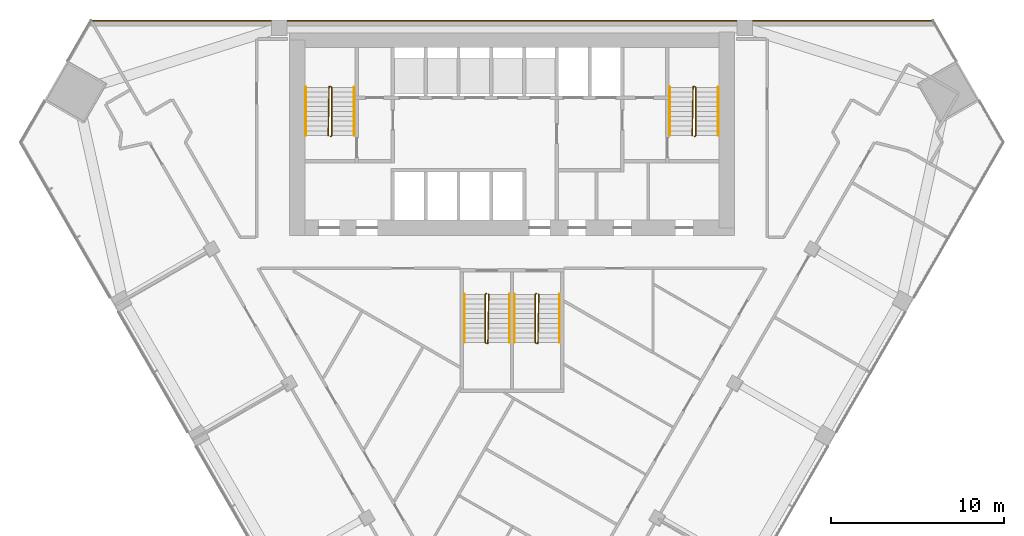
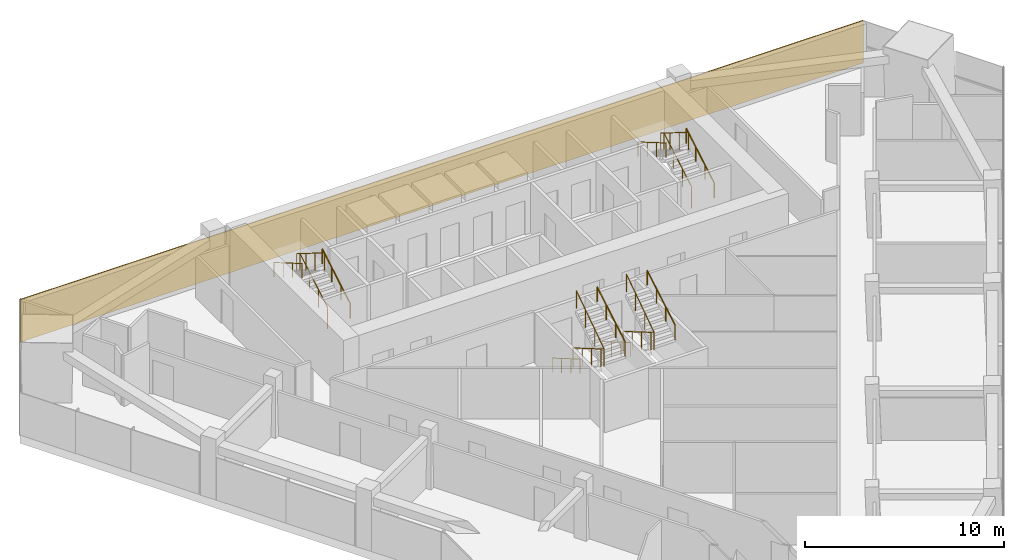
# One storey, part 13 of 14: 12 railings, 1 covering.
"""IFC4 building model written with IfcOpenShell, lengths in metres."""

from ifc_helpers import new_model, si_unit, direction, frame, frame_2d, origin, origin_2d, place, context, subcontext, project, spatial, rectangle, circle, extrude, material, layer, layer_set, type_object, element, save


model = new_model("IFC4")

# Units and contexts
model_context = context("Model", 3, precision=1e-05, world=origin(), true_north=direction((0.0, 1.0)))
body_context = subcontext(model_context, "Body", "Model", "MODEL_VIEW")
ifc_project = project(units=[si_unit("LENGTHUNIT", "METRE"), si_unit("AREAUNIT", "SQUARE_METRE"), si_unit("VOLUMEUNIT", "CUBIC_METRE"), si_unit("PLANEANGLEUNIT", "RADIAN"), si_unit("MASSUNIT", "GRAM", prefix="KILO")], contexts=[model_context])

# Site, building, storey
site_placement = place(None, origin())
site = spatial("IfcSite", under=ifc_project, at=site_placement, CompositionType="ELEMENT")
building_placement = place(site_placement, origin())
building = spatial("IfcBuilding", under=site, at=building_placement, Name="Altiplano Prism Tower", CompositionType="ELEMENT")
storey_placement = place(building_placement, frame((0.0, 0.0, 111.60009765625)))
storey = spatial("IfcBuildingStorey", under=building, at=storey_placement, Name="L28", CompositionType="ELEMENT", Elevation=111.60009765625)

# Railings
ifc_material_1 = material(Name="Steel S355", Category="steel")
railing_type_1 = type_object("IfcRailingType", Name="Stair guard 1100", PredefinedType="GUARDRAIL", material=ifc_material_1)
railing_1_placement = place(storey_placement, frame((74.5, 98.25, 0.0)))
element("IfcRailing", 1, at=railing_1_placement, inside=storey, type_object=railing_type_1, Name="L28 ST1 stair guard 1", PredefinedType="GUARDRAIL", context=body_context, shape_type="SweptSolid", body=[
    extrude(circle(Radius=0.02392578125, at=origin_2d()), frame((0.0, 0.0, 1.076171875), z_axis=(0.280808744504, 0.280808744504, 0.917765164963), x_axis=(-0.707106781187, 0.707106781187, 0.0)), (0.0, 0.0, 1.0), 0.17822265625),
    extrude(circle(Radius=0.02392578125, at=origin_2d()), frame((0.050048828125, 0.050048828125, 1.23974609375), z_axis=(0.0, 0.863393664356, 0.504530851732), x_axis=(-1.0, 0.0, 0.0)), (0.0, 0.0, 1.0), 3.2431640625),
    extrude(circle(Radius=0.02392578125, at=origin_2d()), frame((0.050048828125, 2.85009765625, 2.8759765625), z_axis=(-0.949145278916, 0.314838433982, 0.0), x_axis=(-0.314838433982, -0.949145278916, 0.0)), (0.0, 0.0, 1.0), 0.158203125),
    extrude(circle(Radius=0.02392578125, at=origin_2d()), frame((-0.10009765625, 2.89990234375, 2.8759765625), z_axis=(-0.01477401265, -0.845377694409, 0.533964682676), x_axis=(0.999847325713, -0.01747355902, 0.0)), (0.0, 0.0, 1.0), 3.37109375),
    extrude(circle(Radius=0.02099609375, at=origin_2d()), origin(), (0.0, 0.0, 1.0), 1.052001953125),
    extrude(circle(Radius=0.02099609375, at=origin_2d()), frame((0.050048828125, 0.050048828125, 0.16357421875)), (0.0, 0.0, 1.0), 1.052001953125),
    extrude(circle(Radius=0.02099609375, at=origin_2d()), frame((0.050048828125, 0.9833984375, 0.708984375)), (0.0, 0.0, 1.0), 1.052001953125),
    extrude(circle(Radius=0.02099609375, at=origin_2d()), frame((0.050048828125, 1.916748046875, 1.25439453125)), (0.0, 0.0, 1.0), 1.052001953125),
    extrude(circle(Radius=0.02099609375, at=origin_2d()), frame((0.050048828125, 2.85009765625, 1.7998046875)), (0.0, 0.0, 1.0), 1.052001953125),
    extrude(circle(Radius=0.02099609375, at=origin_2d()), frame((-0.10009765625, 2.89990234375, 1.7998046875)), (0.0, 0.0, 1.0), 1.052001953125),
    extrude(circle(Radius=0.02099609375, at=origin_2d()), frame((-0.11669921875, 1.949951171875, 2.39990234375)), (0.0, 0.0, 1.0), 1.052001953125),
    extrude(circle(Radius=0.02099609375, at=origin_2d()), frame((-0.13330078125, 1.0, 2.999755859375)), (0.0, 0.0, 1.0), 1.052001953125),
    extrude(circle(Radius=0.02099609375, at=origin_2d()), frame((-0.14990234375, 0.050048828125, 3.599853515625)), (0.0, 0.0, 1.0), 1.052001953125),
])
railing_2_placement = place(storey_placement, frame((95.60009765625, 98.25, 0.0)))
element("IfcRailing", 2, at=railing_2_placement, inside=storey, type_object=railing_type_1, Name="L28 ST2 stair guard 1", PredefinedType="GUARDRAIL", context=body_context, shape_type="SweptSolid", body=[
    extrude(circle(Radius=0.02392578125, at=origin_2d()), frame((0.0, 0.0, 1.076171875), z_axis=(0.279546231943, 0.280916556609, 0.91811752648), x_axis=(-0.708833529934, 0.705375805398, 0.0)), (0.0, 0.0, 1.0), 0.17822265625),
    extrude(circle(Radius=0.02392578125, at=origin_2d()), frame((0.0498046875, 0.050048828125, 1.23974609375), z_axis=(0.0, 0.863393664356, 0.504530851732), x_axis=(-1.0, 0.0, 0.0)), (0.0, 0.0, 1.0), 3.2431640625),
    extrude(circle(Radius=0.02392578125, at=origin_2d()), frame((0.0498046875, 2.85009765625, 2.8759765625), z_axis=(-0.948991962702, 0.315300261223, 0.0), x_axis=(-0.315300261223, -0.948991962702, 0.0)), (0.0, 0.0, 1.0), 0.157958984375),
    extrude(circle(Radius=0.02392578125, at=origin_2d()), frame((-0.10009765625, 2.89990234375, 2.8759765625), z_axis=(-0.014846418356, -0.845376787675, 0.533964109957), x_axis=(0.999845825584, -0.017559187376, 0.0)), (0.0, 0.0, 1.0), 3.37109375),
    extrude(circle(Radius=0.02099609375, at=origin_2d()), origin(), (0.0, 0.0, 1.0), 1.052001953125),
    extrude(circle(Radius=0.02099609375, at=origin_2d()), frame((0.0498046875, 0.050048828125, 0.16357421875)), (0.0, 0.0, 1.0), 1.052001953125),
    extrude(circle(Radius=0.02099609375, at=origin_2d()), frame((0.0498046875, 0.9833984375, 0.708984375)), (0.0, 0.0, 1.0), 1.052001953125),
    extrude(circle(Radius=0.02099609375, at=origin_2d()), frame((0.0498046875, 1.916748046875, 1.25439453125)), (0.0, 0.0, 1.0), 1.052001953125),
    extrude(circle(Radius=0.02099609375, at=origin_2d()), frame((0.0498046875, 2.85009765625, 1.7998046875)), (0.0, 0.0, 1.0), 1.052001953125),
    extrude(circle(Radius=0.02099609375, at=origin_2d()), frame((-0.10009765625, 2.89990234375, 1.7998046875)), (0.0, 0.0, 1.0), 1.052001953125),
    extrude(circle(Radius=0.02099609375, at=origin_2d()), frame((-0.11669921875, 1.949951171875, 2.39990234375)), (0.0, 0.0, 1.0), 1.052001953125),
    extrude(circle(Radius=0.02099609375, at=origin_2d()), frame((-0.133544921875, 1.0, 2.999755859375)), (0.0, 0.0, 1.0), 1.052001953125),
    extrude(circle(Radius=0.02099609375, at=origin_2d()), frame((-0.150146484375, 0.050048828125, 3.599853515625)), (0.0, 0.0, 1.0), 1.052001953125),
])
railing_3_placement = place(storey_placement, frame((83.5, 89.14990234375, 0.0)))
element("IfcRailing", 3, at=railing_3_placement, inside=storey, type_object=railing_type_1, Name="L28 ST3A stair guard 1", PredefinedType="GUARDRAIL", context=body_context, shape_type="SweptSolid", body=[
    extrude(circle(Radius=0.02392578125, at=origin_2d()), frame((0.0, 0.0, 1.076171875), z_axis=(-0.280916556609, -0.279546231943, 0.91811752648), x_axis=(0.705375805398, -0.708833529934, 0.0)), (0.0, 0.0, 1.0), 0.17822265625),
    extrude(circle(Radius=0.02392578125, at=origin_2d()), frame((-0.050048828125, -0.0498046875, 1.23974609375), z_axis=(0.0, -0.863393664356, 0.504530851732), x_axis=(1.0, 0.0, 0.0)), (0.0, 0.0, 1.0), 3.2431640625),
    extrude(circle(Radius=0.02392578125, at=origin_2d()), frame((-0.050048828125, -2.849853515625, 2.8759765625), z_axis=(0.948683298051, -0.316227766017, 0.0), x_axis=(0.316227766017, 0.948683298051, 0.0)), (0.0, 0.0, 1.0), 0.158203125),
    extrude(circle(Radius=0.02392578125, at=origin_2d()), frame((0.10009765625, -2.89990234375, 2.8759765625), z_axis=(0.014773108175, 0.84539835705, 0.533931993021), x_axis=(-0.999847351862, 0.017472062685, 0.0)), (0.0, 0.0, 1.0), 3.371337890625),
    extrude(circle(Radius=0.02099609375, at=origin_2d()), origin(), (0.0, 0.0, 1.0), 1.052001953125),
    extrude(circle(Radius=0.02099609375, at=origin_2d()), frame((-0.050048828125, -0.0498046875, 0.16357421875)), (0.0, 0.0, 1.0), 1.052001953125),
    extrude(circle(Radius=0.02099609375, at=origin_2d()), frame((-0.050048828125, -0.983154296875, 0.708984375)), (0.0, 0.0, 1.0), 1.052001953125),
    extrude(circle(Radius=0.02099609375, at=origin_2d()), frame((-0.050048828125, -1.91650390625, 1.25439453125)), (0.0, 0.0, 1.0), 1.052001953125),
    extrude(circle(Radius=0.02099609375, at=origin_2d()), frame((-0.050048828125, -2.849853515625, 1.7998046875)), (0.0, 0.0, 1.0), 1.052001953125),
    extrude(circle(Radius=0.02099609375, at=origin_2d()), frame((0.10009765625, -2.89990234375, 1.7998046875)), (0.0, 0.0, 1.0), 1.052001953125),
    extrude(circle(Radius=0.02099609375, at=origin_2d()), frame((0.11669921875, -1.949951171875, 2.39990234375)), (0.0, 0.0, 1.0), 1.052001953125),
    extrude(circle(Radius=0.02099609375, at=origin_2d()), frame((0.13330078125, -0.999755859375, 2.999755859375)), (0.0, 0.0, 1.0), 1.052001953125),
    extrude(circle(Radius=0.02099609375, at=origin_2d()), frame((0.14990234375, -0.0498046875, 3.599853515625)), (0.0, 0.0, 1.0), 1.052001953125),
])
railing_4_placement = place(storey_placement, frame((86.39990234375, 89.14990234375, 0.0)))
element("IfcRailing", 4, at=railing_4_placement, inside=storey, type_object=railing_type_1, Name="L28 ST3B stair guard 1", PredefinedType="GUARDRAIL", context=body_context, shape_type="SweptSolid", body=[
    extrude(circle(Radius=0.02392578125, at=origin_2d()), frame((0.0, 0.0, 1.076171875), z_axis=(-0.279653641804, -0.279653641804, 0.918470294159), x_axis=(0.707106781187, -0.707106781187, 0.0)), (0.0, 0.0, 1.0), 0.177978515625),
    extrude(circle(Radius=0.02392578125, at=origin_2d()), frame((-0.0498046875, -0.0498046875, 1.23974609375), z_axis=(0.0, -0.863393664356, 0.504530851732), x_axis=(1.0, 0.0, 0.0)), (0.0, 0.0, 1.0), 3.2431640625),
    extrude(circle(Radius=0.02392578125, at=origin_2d()), frame((-0.0498046875, -2.849853515625, 2.8759765625), z_axis=(0.948528701346, -0.316691178788, 0.0), x_axis=(0.316691178788, 0.948528701346, 0.0)), (0.0, 0.0, 1.0), 0.157958984375),
    extrude(circle(Radius=0.02392578125, at=origin_2d()), frame((0.10009765625, -2.89990234375, 2.8759765625), z_axis=(0.014845509451, 0.845397450405, 0.533931420407), x_axis=(-0.999845851991, 0.017557683712, 0.0)), (0.0, 0.0, 1.0), 3.371337890625),
    extrude(circle(Radius=0.02099609375, at=origin_2d()), origin(), (0.0, 0.0, 1.0), 1.052001953125),
    extrude(circle(Radius=0.02099609375, at=origin_2d()), frame((-0.0498046875, -0.0498046875, 0.16357421875)), (0.0, 0.0, 1.0), 1.052001953125),
    extrude(circle(Radius=0.02099609375, at=origin_2d()), frame((-0.0498046875, -0.983154296875, 0.708984375)), (0.0, 0.0, 1.0), 1.052001953125),
    extrude(circle(Radius=0.02099609375, at=origin_2d()), frame((-0.0498046875, -1.91650390625, 1.25439453125)), (0.0, 0.0, 1.0), 1.052001953125),
    extrude(circle(Radius=0.02099609375, at=origin_2d()), frame((-0.0498046875, -2.849853515625, 1.7998046875)), (0.0, 0.0, 1.0), 1.052001953125),
    extrude(circle(Radius=0.02099609375, at=origin_2d()), frame((0.10009765625, -2.89990234375, 1.7998046875)), (0.0, 0.0, 1.0), 1.052001953125),
    extrude(circle(Radius=0.02099609375, at=origin_2d()), frame((0.11669921875, -1.949951171875, 2.39990234375)), (0.0, 0.0, 1.0), 1.052001953125),
    extrude(circle(Radius=0.02099609375, at=origin_2d()), frame((0.133544921875, -0.999755859375, 2.999755859375)), (0.0, 0.0, 1.0), 1.052001953125),
    extrude(circle(Radius=0.02099609375, at=origin_2d()), frame((0.150146484375, -0.0498046875, 3.599853515625)), (0.0, 0.0, 1.0), 1.052001953125),
])
railing_type_2 = type_object("IfcRailingType", Name="Stair handrail 900", PredefinedType="HANDRAIL", material=ifc_material_1)
railing_5_placement = place(storey_placement, frame((75.85009765625, 98.300048828125, 0.16357421875)))
element("IfcRailing", 5, at=railing_5_placement, inside=storey, type_object=railing_type_2, Name="L28 ST1 stair handrail 1", PredefinedType="HANDRAIL", context=body_context, shape_type="SweptSolid", body=[
    extrude(circle(Radius=0.02392578125, at=origin_2d()), frame((0.0, 0.0, 0.8759765625), z_axis=(0.0, 0.863393664356, 0.504530851732), x_axis=(-1.0, 0.0, 0.0)), (0.0, 0.0, 1.0), 3.2431640625),
    extrude(circle(Radius=0.02099609375, at=origin_2d()), origin(), (0.0, 0.0, 1.0), 0.851806640625),
    extrude(circle(Radius=0.02099609375, at=origin_2d()), frame((0.0, 0.933349609375, 0.54541015625)), (0.0, 0.0, 1.0), 0.851806640625),
    extrude(circle(Radius=0.02099609375, at=origin_2d()), frame((0.0, 1.86669921875, 1.0908203125)), (0.0, 0.0, 1.0), 0.851806640625),
    extrude(circle(Radius=0.02099609375, at=origin_2d()), frame((0.0, 2.800048828125, 1.63623046875)), (0.0, 0.0, 1.0), 0.851806640625),
])
railing_6_placement = place(storey_placement, frame((73.050048828125, 101.10009765625, 1.963623046875)))
element("IfcRailing", 6, at=railing_6_placement, inside=storey, type_object=railing_type_2, Name="L28 ST1 stair handrail 2", PredefinedType="HANDRAIL", context=body_context, shape_type="SweptSolid", body=[
    extrude(circle(Radius=0.02392578125, at=origin_2d()), frame((0.0, 0.0, 0.8759765625), z_axis=(0.0, -0.863393664356, 0.504530851732), x_axis=(1.0, 0.0, 0.0)), (0.0, 0.0, 1.0), 3.2431640625),
    extrude(circle(Radius=0.02099609375, at=origin_2d()), origin(), (0.0, 0.0, 1.0), 0.851806640625),
    extrude(circle(Radius=0.02099609375, at=origin_2d()), frame((0.0, -0.933349609375, 0.54541015625)), (0.0, 0.0, 1.0), 0.851806640625),
    extrude(circle(Radius=0.02099609375, at=origin_2d()), frame((0.0, -1.86669921875, 1.0908203125)), (0.0, 0.0, 1.0), 0.851806640625),
    extrude(circle(Radius=0.02099609375, at=origin_2d()), frame((0.0, -2.800048828125, 1.63623046875)), (0.0, 0.0, 1.0), 0.851806640625),
])
railing_7_placement = place(storey_placement, frame((96.949951171875, 98.300048828125, 0.16357421875)))
element("IfcRailing", 7, at=railing_7_placement, inside=storey, type_object=railing_type_2, Name="L28 ST2 stair handrail 1", PredefinedType="HANDRAIL", context=body_context, shape_type="SweptSolid", body=[
    extrude(circle(Radius=0.02392578125, at=origin_2d()), frame((0.0, 0.0, 0.8759765625), z_axis=(0.0, 0.863393664356, 0.504530851732), x_axis=(-1.0, 0.0, 0.0)), (0.0, 0.0, 1.0), 3.2431640625),
    extrude(circle(Radius=0.02099609375, at=origin_2d()), origin(), (0.0, 0.0, 1.0), 0.851806640625),
    extrude(circle(Radius=0.02099609375, at=origin_2d()), frame((0.0, 0.933349609375, 0.54541015625)), (0.0, 0.0, 1.0), 0.851806640625),
    extrude(circle(Radius=0.02099609375, at=origin_2d()), frame((0.0, 1.86669921875, 1.0908203125)), (0.0, 0.0, 1.0), 0.851806640625),
    extrude(circle(Radius=0.02099609375, at=origin_2d()), frame((0.0, 2.800048828125, 1.63623046875)), (0.0, 0.0, 1.0), 0.851806640625),
])
for number, where, name in (
    (8, (94.14990234375, 101.10009765625, 1.963623046875), "L28 ST2 stair handrail 2"),
    (9, (82.25, 89.10009765625, 0.16357421875), "L28 ST3A stair handrail 1"),
):
    element("IfcRailing", number, at=place(storey_placement, frame(where)), inside=storey, type_object=railing_type_2, Name=name, PredefinedType="HANDRAIL", context=body_context, shape_type="SweptSolid", body=[
        extrude(circle(Radius=0.02392578125, at=origin_2d()), frame((0.0, 0.0, 0.8759765625), z_axis=(0.0, -0.863393664356, 0.504530851732), x_axis=(1.0, 0.0, 0.0)), (0.0, 0.0, 1.0), 3.2431640625),
        extrude(circle(Radius=0.02099609375, at=origin_2d()), origin(), (0.0, 0.0, 1.0), 0.851806640625),
        extrude(circle(Radius=0.02099609375, at=origin_2d()), frame((0.0, -0.933349609375, 0.54541015625)), (0.0, 0.0, 1.0), 0.851806640625),
        extrude(circle(Radius=0.02099609375, at=origin_2d()), frame((0.0, -1.86669921875, 1.0908203125)), (0.0, 0.0, 1.0), 0.851806640625),
        extrude(circle(Radius=0.02099609375, at=origin_2d()), frame((0.0, -2.800048828125, 1.63623046875)), (0.0, 0.0, 1.0), 0.851806640625),
    ])
railing_8_placement = place(storey_placement, frame((84.85009765625, 86.300048828125, 1.963623046875)))
element("IfcRailing", 10, at=railing_8_placement, inside=storey, type_object=railing_type_2, Name="L28 ST3A stair handrail 2", PredefinedType="HANDRAIL", context=body_context, shape_type="SweptSolid", body=[
    extrude(circle(Radius=0.02392578125, at=origin_2d()), frame((0.0, 0.0, 0.8759765625), z_axis=(0.0, 0.863393664356, 0.504530851732), x_axis=(-1.0, 0.0, 0.0)), (0.0, 0.0, 1.0), 3.2431640625),
    extrude(circle(Radius=0.02099609375, at=origin_2d()), origin(), (0.0, 0.0, 1.0), 0.851806640625),
    extrude(circle(Radius=0.02099609375, at=origin_2d()), frame((0.0, 0.933349609375, 0.54541015625)), (0.0, 0.0, 1.0), 0.851806640625),
    extrude(circle(Radius=0.02099609375, at=origin_2d()), frame((0.0, 1.86669921875, 1.0908203125)), (0.0, 0.0, 1.0), 0.851806640625),
    extrude(circle(Radius=0.02099609375, at=origin_2d()), frame((0.0, 2.800048828125, 1.63623046875)), (0.0, 0.0, 1.0), 0.851806640625),
])
railing_9_placement = place(storey_placement, frame((85.14990234375, 89.10009765625, 0.16357421875)))
element("IfcRailing", 11, at=railing_9_placement, inside=storey, type_object=railing_type_2, Name="L28 ST3B stair handrail 1", PredefinedType="HANDRAIL", context=body_context, shape_type="SweptSolid", body=[
    extrude(circle(Radius=0.02392578125, at=origin_2d()), frame((0.0, 0.0, 0.8759765625), z_axis=(0.0, -0.863393664356, 0.504530851732), x_axis=(1.0, 0.0, 0.0)), (0.0, 0.0, 1.0), 3.2431640625),
    extrude(circle(Radius=0.02099609375, at=origin_2d()), origin(), (0.0, 0.0, 1.0), 0.851806640625),
    extrude(circle(Radius=0.02099609375, at=origin_2d()), frame((0.0, -0.933349609375, 0.54541015625)), (0.0, 0.0, 1.0), 0.851806640625),
    extrude(circle(Radius=0.02099609375, at=origin_2d()), frame((0.0, -1.86669921875, 1.0908203125)), (0.0, 0.0, 1.0), 0.851806640625),
    extrude(circle(Radius=0.02099609375, at=origin_2d()), frame((0.0, -2.800048828125, 1.63623046875)), (0.0, 0.0, 1.0), 0.851806640625),
])
railing_10_placement = place(storey_placement, frame((87.75, 86.300048828125, 1.963623046875)))
element("IfcRailing", 12, at=railing_10_placement, inside=storey, type_object=railing_type_2, Name="L28 ST3B stair handrail 2", PredefinedType="HANDRAIL", context=body_context, shape_type="SweptSolid", body=[
    extrude(circle(Radius=0.02392578125, at=origin_2d()), frame((0.0, 0.0, 0.8759765625), z_axis=(0.0, 0.863393664356, 0.504530851732), x_axis=(-1.0, 0.0, 0.0)), (0.0, 0.0, 1.0), 3.2431640625),
    extrude(circle(Radius=0.02099609375, at=origin_2d()), origin(), (0.0, 0.0, 1.0), 0.851806640625),
    extrude(circle(Radius=0.02099609375, at=origin_2d()), frame((0.0, 0.933349609375, 0.54541015625)), (0.0, 0.0, 1.0), 0.851806640625),
    extrude(circle(Radius=0.02099609375, at=origin_2d()), frame((0.0, 1.86669921875, 1.0908203125)), (0.0, 0.0, 1.0), 0.851806640625),
    extrude(circle(Radius=0.02099609375, at=origin_2d()), frame((0.0, 2.800048828125, 1.63623046875)), (0.0, 0.0, 1.0), 0.851806640625),
])

# Covering
ifc_material_2 = material(Name="Warm limestone cast stone", Category="masonry")
ifc_layer = layer(ifc_material_2, 0.06005859375)
ifc_layer_set = layer_set([ifc_layer], Name="Warm limestone cast stone")
covering_type = type_object("IfcCoveringType", Name="Stone cladding 60", PredefinedType="CLADDING", material=ifc_layer_set)
covering_placement = place(storey_placement, frame((60.57763671875, 104.969970703125, 0.0), z_axis=(0.0, 0.0, 1.0), x_axis=(1.0, 0.0, 0.0)))
element("IfcCovering", 13, at=covering_placement, inside=storey, type_object=covering_type, Name="Stone cladding north face L28", PredefinedType="CLADDING", context=body_context, shape_type="SweptSolid", body=[
    extrude(rectangle(XDim=48.8447265625, YDim=0.06005859375, at=frame_2d((24.42236328125, 0.0))), origin(), (0.0, 0.0, 1.0), 2.599853515625),
])

save(model, "model.ifc")
